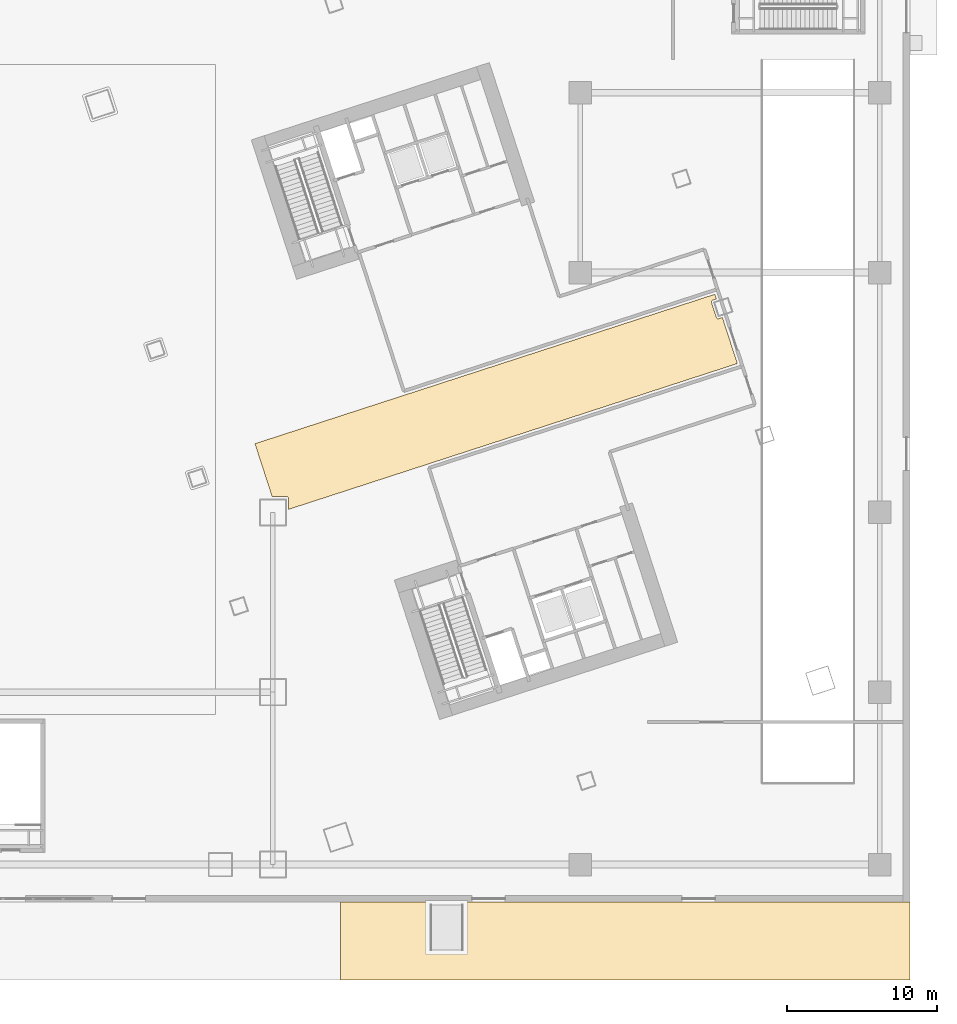
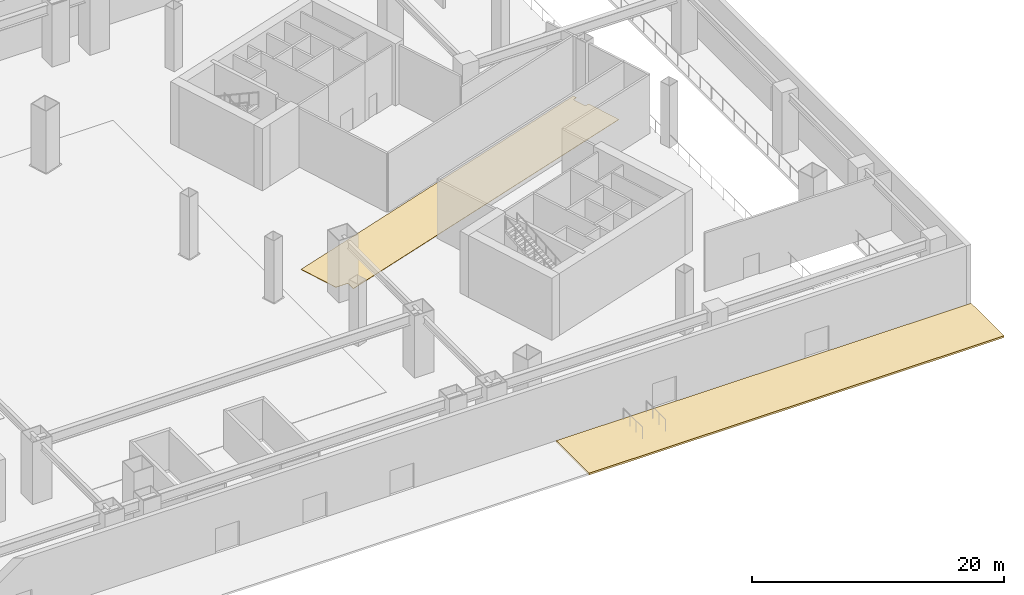
# One storey, part 26 of 31: 2 coverings.
"""IFC4 building model written with IfcOpenShell, lengths in metres."""

from ifc_helpers import new_model, si_unit, direction, frame, origin, place, context, subcontext, project, spatial, polyline, outline, extrude, material, layer, layer_set, type_object, element, save


model = new_model("IFC4")

# Units and contexts
model_context = context("Model", 3, precision=1e-05, world=origin(), true_north=direction((0.0, 1.0)))
body_context = subcontext(model_context, "Body", "Model", "MODEL_VIEW")
ifc_project = project(units=[si_unit("LENGTHUNIT", "METRE"), si_unit("AREAUNIT", "SQUARE_METRE"), si_unit("VOLUMEUNIT", "CUBIC_METRE"), si_unit("PLANEANGLEUNIT", "RADIAN"), si_unit("MASSUNIT", "GRAM", prefix="KILO")], contexts=[model_context])

# Site, building, storey
site_placement = place(None, origin())
site = spatial("IfcSite", under=ifc_project, at=site_placement, CompositionType="ELEMENT")
building_placement = place(site_placement, origin())
building = spatial("IfcBuilding", under=site, at=building_placement, Name="Qiaolan Cultural Towers", CompositionType="ELEMENT")
storey_placement = place(building_placement, origin())
storey = spatial("IfcBuildingStorey", under=building, at=storey_placement, Name="L00", CompositionType="ELEMENT", Elevation=0.0)

# Coverings
ifc_material_1 = material(Name="Honed Terrazzo & Raised Access Flooring", Category="concrete")
ifc_layer_1 = layer(ifc_material_1, 0.0400390625)
ifc_layer_set_1 = layer_set([ifc_layer_1], Name="Honed Terrazzo & Raised Access Flooring")
covering_type_1 = type_object("IfcCoveringType", Name="COV-FLR-STONE", PredefinedType="FLOORING", material=ifc_layer_set_1)
covering_1_placement = place(storey_placement, origin())
element("IfcCovering", 1, at=covering_1_placement, inside=storey, type_object=covering_type_1, Name="L00 East Tower Cultural & Office Entrance Lobby Finish Flooring", PredefinedType="FLOORING", context=body_context, shape_type="SweptSolid", body=[
    extrude(outline(polyline([(76.306396484375, 30.5810546875), (77.45361328125, 27.050048828125), (78.429931640625, 27.050048828125), (78.441650390625, 27.04931640625), (78.453369140625, 27.047607421875), (78.46484375, 27.044921875), (78.475830078125, 27.040771484375), (78.486572265625, 27.035888671875), (78.49658203125, 27.02978515625), (78.506103515625, 27.022705078125), (78.514892578125, 27.014892578125), (78.522705078125, 27.006103515625), (78.52978515625, 26.99658203125), (78.535888671875, 26.986572265625), (78.540771484375, 26.975830078125), (78.544921875, 26.96484375), (78.547607421875, 26.953369140625), (78.54931640625, 26.941650390625), (78.550048828125, 26.929931640625), (78.550048828125, 26.199951171875), (108.4892578125, 35.927734375), (107.490966796875, 38.999755859375), (107.243896484375, 38.91943359375), (107.232421875, 38.916259765625), (107.220703125, 38.914306640625), (107.208984375, 38.91357421875), (107.197265625, 38.913818359375), (107.185546875, 38.915283203125), (107.174072265625, 38.91796875), (107.1630859375, 38.921875), (107.15234375, 38.926513671875), (107.14208984375, 38.932373046875), (107.13232421875, 38.939208984375), (107.12353515625, 38.947021484375), (107.115478515625, 38.95556640625), (107.108154296875, 38.96484375), (107.10205078125, 38.974853515625), (107.0966796875, 38.9853515625), (107.092529296875, 38.996337890625), (106.76513671875, 40.004638671875), (106.761962890625, 40.015869140625), (106.760009765625, 40.027587890625), (106.75927734375, 40.039306640625), (106.759521484375, 40.051025390625), (106.760986328125, 40.062744140625), (106.763671875, 40.07421875), (106.767333984375, 40.08544921875), (106.772216796875, 40.09619140625), (106.778076171875, 40.1064453125), (106.784912109375, 40.115966796875), (106.792724609375, 40.124755859375), (106.80126953125, 40.1328125), (106.810546875, 40.14013671875), (106.820556640625, 40.146240234375), (106.8310546875, 40.151611328125), (106.842041015625, 40.15576171875), (107.08935546875, 40.236083984375), (106.9873046875, 40.550048828125), (76.306396484375, 30.5810546875)])), origin(), (0.0, 0.0, 1.0), 0.0400390625),
])
ifc_material_2 = material(Name="Precast Concrete C40 Granite Forecourt Paving", Category="masonry")
ifc_layer_2 = layer(ifc_material_2, 0.179931640625)
ifc_layer_set_2 = layer_set([ifc_layer_2], Name="Precast Concrete C40 Granite Forecourt Paving")
covering_type_2 = type_object("IfcCoveringType", Name="COV-PLAZA-PAVING", PredefinedType="USERDEFINED", material=ifc_layer_set_2)
covering_2_placement = place(storey_placement, frame((0.0, 0.0, -0.179931640625)))
element("IfcCovering", 2, at=covering_2_placement, inside=storey, type_object=covering_type_2, Name="Station Forecourt Granite Paving PLZ-S3", ObjectType="PAVING", PredefinedType="USERDEFINED", context=body_context, shape_type="SweptSolid", body=[
    extrude(outline(polyline([(82.0, -5.199951171875), (120.0, -5.199951171875), (120.0, 0.0), (82.0, 0.0), (82.0, -5.199951171875)])), origin(), (0.0, 0.0, 1.0), 0.179931640625),
])

save(model, "model.ifc")
